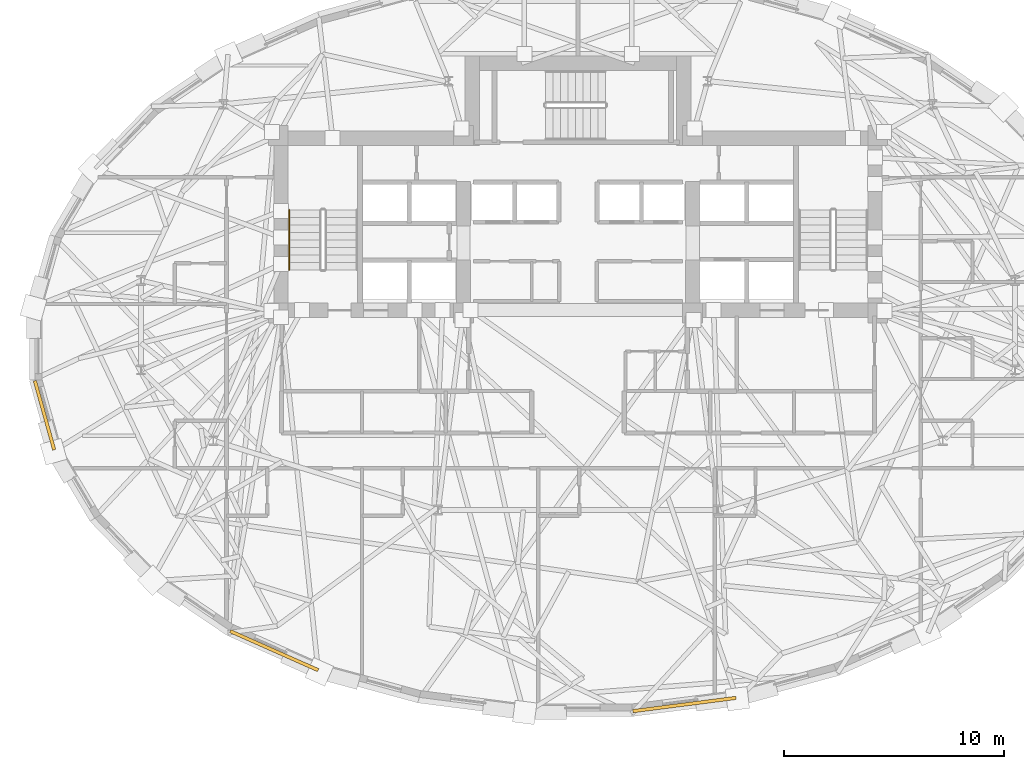
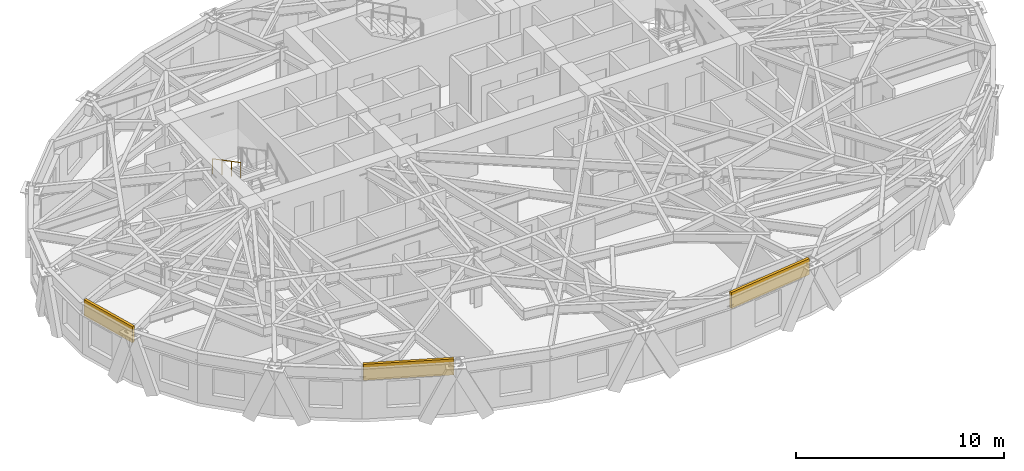
# One storey, part 12 of 15: 3 coverings, 1 railing.
"""IFC4 building model written with IfcOpenShell, lengths in metres."""

from ifc_helpers import new_model, si_unit, direction, frame, origin, origin_2d, place, context, subcontext, project, spatial, rectangle, circle, extrude, material, layer, layer_set, type_object, element, save


model = new_model("IFC4")

# Units and contexts
model_context = context("Model", 3, precision=1e-05, world=origin(), true_north=direction((0.0, 1.0)))
body_context = subcontext(model_context, "Body", "Model", "MODEL_VIEW")
ifc_project = project(units=[si_unit("LENGTHUNIT", "METRE"), si_unit("AREAUNIT", "SQUARE_METRE"), si_unit("VOLUMEUNIT", "CUBIC_METRE"), si_unit("PLANEANGLEUNIT", "RADIAN"), si_unit("MASSUNIT", "GRAM", prefix="KILO")], contexts=[model_context])

# Site, building, storey
site_placement = place(None, origin())
site = spatial("IfcSite", under=ifc_project, at=site_placement, CompositionType="ELEMENT")
building_placement = place(site_placement, origin())
building = spatial("IfcBuilding", under=site, at=building_placement, Name="Keldmark Tower", CompositionType="ELEMENT")
storey_placement = place(building_placement, frame((0.0, 0.0, 163.0)))
storey = spatial("IfcBuildingStorey", under=building, at=storey_placement, Name="L44", CompositionType="ELEMENT", Elevation=163.0)

# Coverings
ifc_material_1 = material(Name="Honed Kasota Buff Dolomitic Limestone", Category="masonry")
ifc_layer = layer(ifc_material_1, 0.074951171875)
ifc_layer_set = layer_set([ifc_layer], Name="Honed Kasota Buff Dolomitic Limestone")
covering_type = type_object("IfcCoveringType", Name="Kasota Buff Limestone Spandrel Cladding Band", PredefinedType="CLADDING", material=ifc_layer_set)
covering_1_placement = place(storey_placement, frame((-24.205322265625, -3.25, 2.239013671875), z_axis=(0.0, 0.0, 1.0), x_axis=(0.26920558486, -0.963082734286, 0.0)))
element("IfcCovering", 1, at=covering_1_placement, inside=storey, type_object=covering_type, Name="L44 Kasota Limestone Spandrel Band 17", PredefinedType="CLADDING", context=body_context, shape_type="SweptSolid", body=[
    extrude(rectangle(XDim=3.2568359375, YDim=0.14990234375, at=origin_2d()), origin(), (0.0, 0.0, 1.0), 0.94091796875),
])
covering_2_placement = place(storey_placement, frame((-13.78466796875, -13.9267578125, 2.239013671875), z_axis=(0.0, 0.0, 1.0), x_axis=(0.913921308103, -0.405891417247, 0.0)))
element("IfcCovering", 2, at=covering_2_placement, inside=storey, type_object=covering_type, Name="L44 Kasota Limestone Spandrel Band 21", PredefinedType="CLADDING", context=body_context, shape_type="SweptSolid", body=[
    extrude(rectangle(XDim=4.367431640625, YDim=0.14990234375, at=origin_2d()), origin(), (0.0, 0.0, 1.0), 0.94091796875),
])
covering_3_placement = place(storey_placement, frame((4.823974609375, -16.370849609375, 2.239013671875), z_axis=(0.0, 0.0, 1.0), x_axis=(0.991850028246, 0.12741083733, 0.0)))
element("IfcCovering", 3, at=covering_3_placement, inside=storey, type_object=covering_type, Name="L44 Kasota Limestone Spandrel Band 25", PredefinedType="CLADDING", context=body_context, shape_type="SweptSolid", body=[
    extrude(rectangle(XDim=4.717041015625, YDim=0.14990234375, at=origin_2d()), origin(), (0.0, 0.0, 1.0), 0.94091796875),
])

# Railing
ifc_material_2 = material(Name="Stainless Steel AISI 316L", Category="steel")
railing_type = type_object("IfcRailingType", Name="Stainless Steel Stair Handrail 900 mm", PredefinedType="HANDRAIL", material=ifc_material_2)
railing_placement = place(storey_placement, frame((-13.10009765625, 6.070068359375, 1.77783203125)))
element("IfcRailing", 4, at=railing_placement, inside=storey, type_object=railing_type, Name="L44 ST1 stair handrail 2", PredefinedType="HANDRAIL", context=body_context, shape_type="SweptSolid", body=[
    extrude(circle(Radius=0.02392578125, at=origin_2d()), frame((0.0, 0.0, 0.8759765625), z_axis=(0.0, -0.886183135912, 0.463335137482), x_axis=(1.0, 0.0, 0.0)), (0.0, 0.0, 1.0), 3.0693359375),
    extrude(circle(Radius=0.02099609375, at=origin_2d()), origin(), (0.0, 0.0, 1.0), 0.851806640625),
    extrude(circle(Radius=0.02099609375, at=origin_2d()), frame((0.0, -0.90673828125, 0.47412109375)), (0.0, 0.0, 1.0), 0.851806640625),
    extrude(circle(Radius=0.02099609375, at=origin_2d()), frame((0.0, -1.813232421875, 0.947998046875)), (0.0, 0.0, 1.0), 0.851806640625),
    extrude(circle(Radius=0.02099609375, at=origin_2d()), frame((0.0, -2.719970703125, 1.422119140625)), (0.0, 0.0, 1.0), 0.851806640625),
])

save(model, "model.ifc")
